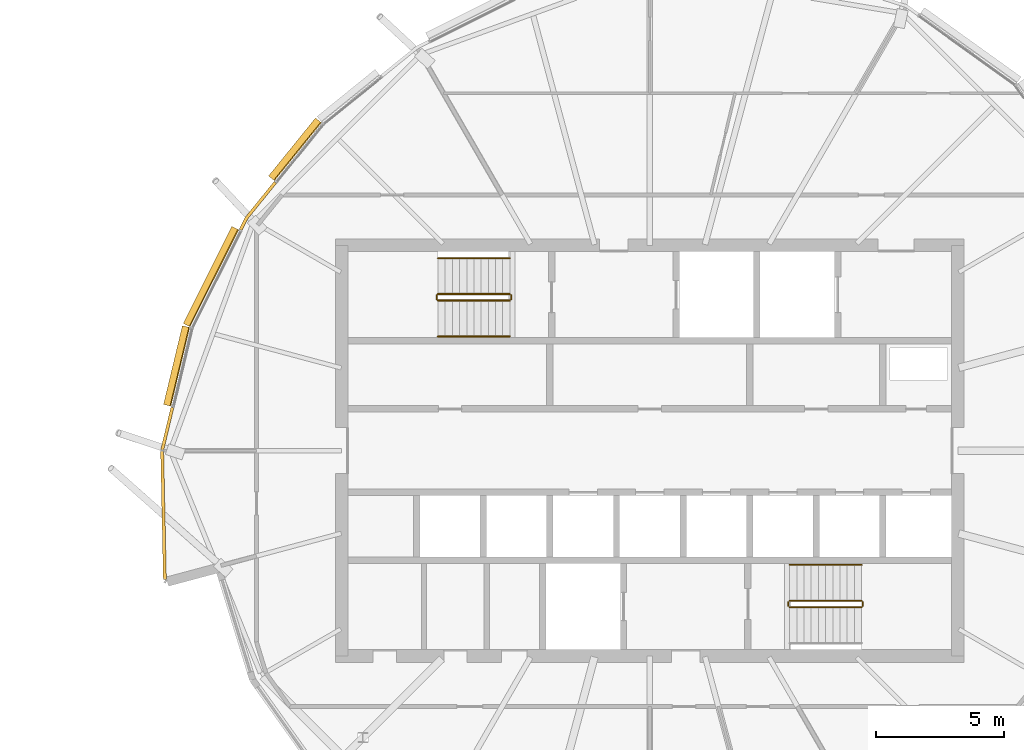
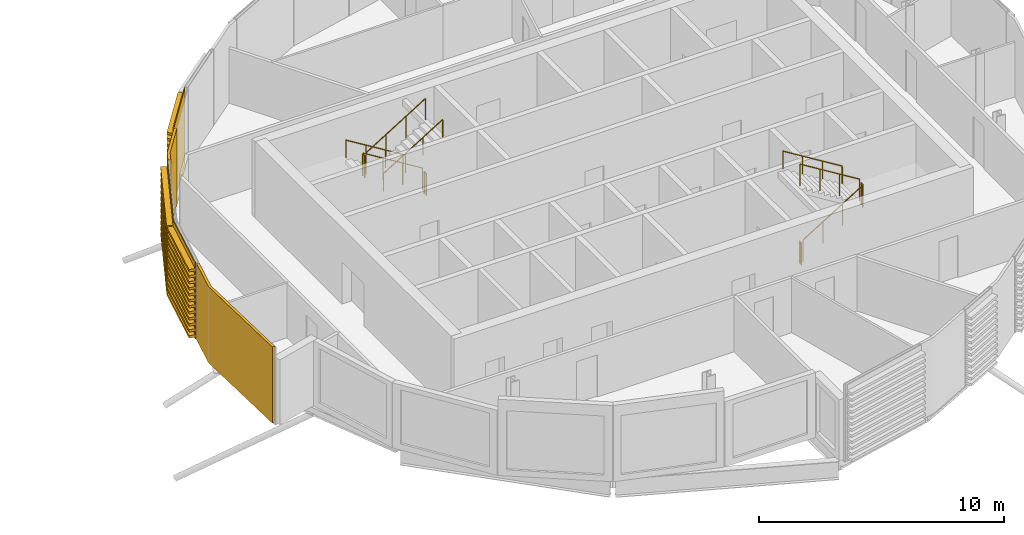
# One storey, part 35 of 36: 11 railings, 5 coverings.
"""IFC4 building model written with IfcOpenShell, lengths in metres."""

from ifc_helpers import new_model, si_unit, direction, frame, origin, origin_2d, place, context, subcontext, project, spatial, polyline, circle, outline, extrude, material, layer, layer_set, material_profile, profile_set, type_object, element, save


model = new_model("IFC4")

# Units and contexts
model_context = context("Model", 3, precision=1e-05, world=origin(), true_north=direction((0.0, 1.0)))
body_context = subcontext(model_context, "Body", "Model", "MODEL_VIEW")
ifc_project = project(units=[si_unit("LENGTHUNIT", "METRE"), si_unit("AREAUNIT", "SQUARE_METRE"), si_unit("VOLUMEUNIT", "CUBIC_METRE"), si_unit("PLANEANGLEUNIT", "RADIAN"), si_unit("MASSUNIT", "GRAM", prefix="KILO")], contexts=[model_context])

# Site, building, storey
site_placement = place(None, origin())
site = spatial("IfcSite", under=ifc_project, at=site_placement, CompositionType="ELEMENT")
building_placement = place(site_placement, origin())
building = spatial("IfcBuilding", under=site, at=building_placement, Name="Rimbun Link Towers", CompositionType="ELEMENT")
storey_placement = place(building_placement, frame((0.0, 0.0, 248.5)))
storey = spatial("IfcBuildingStorey", under=building, at=storey_placement, Name="L61", CompositionType="ELEMENT", Elevation=248.5)

# Coverings
ifc_material_1 = material(Name="Terracotta", Category="masonry")
ifc_layer = layer(ifc_material_1, 0.1201171875)
ifc_layer_set = layer_set([ifc_layer], Name="LINK PIER terracotta cladding 120")
covering_type_1 = type_object("IfcCoveringType", Name="LINK PIER terracotta cladding 120", PredefinedType="CLADDING", material=ifc_layer_set)
covering_1_placement = place(storey_placement, origin())
element("IfcCovering", 1, at=covering_1_placement, inside=storey, type_object=covering_type_1, Name="LINK PIER cladding", PredefinedType="CLADDING", context=body_context, shape_type="SweptSolid", body=[
    extrude(outline(polyline([(15.862060546875, 8.573486328125), (16.09521484375, 9.038330078125), (17.208984375, 10.4140625), (17.11572265625, 10.489501953125), (15.993896484375, 9.103759765625), (15.754638671875, 8.62744140625), (15.862060546875, 8.573486328125)])), origin(), (0.0, 0.0, 1.0), 3.800048828125),
])
covering_2_placement = place(storey_placement, origin())
element("IfcCovering", 2, at=covering_2_placement, inside=storey, type_object=covering_type_1, Name="LINK PIER cladding", PredefinedType="CLADDING", context=body_context, shape_type="SweptSolid", body=[
    extrude(outline(polyline([(12.91650390625, -5.016357421875), (12.810791015625, 0.0), (13.2109375, 1.6728515625), (13.09423828125, 1.70068359375), (12.6904296875, 0.012939453125), (12.79638671875, -5.018798828125), (12.91650390625, -5.016357421875)])), origin(), (0.0, 0.0, 1.0), 3.800048828125),
])

# Railings
ifc_material_2 = material(Name="Stainless steel grade 316", Category="steel")
railing_type_1 = type_object("IfcRailingType", Name="Stair guard", PredefinedType="GUARDRAIL", material=ifc_material_2)
railing_1_placement = place(storey_placement, frame((26.300048828125, 6.10009765625, 0.172607421875)))
element("IfcRailing", 3, at=railing_1_placement, inside=storey, type_object=railing_type_1, Name="L61 ST3 stair guard 1", PredefinedType="GUARDRAIL", context=body_context, shape_type="SweptSolid", body=[
    extrude(circle(Radius=0.02392578125, at=origin_2d()), frame((0.0, 0.0, 1.076171875), z_axis=(-0.851089632645, 0.0, 0.525020415988), x_axis=(0.0, -1.0, 0.0)), (0.0, 0.0, 1.0), 3.2900390625),
    extrude(circle(Radius=0.02099609375, at=origin_2d()), origin(), (0.0, 0.0, 1.0), 1.052001953125),
    extrude(circle(Radius=0.02099609375, at=origin_2d()), frame((-0.933349609375, 0.0, 0.57568359375)), (0.0, 0.0, 1.0), 1.052001953125),
    extrude(circle(Radius=0.02099609375, at=origin_2d()), frame((-1.86669921875, 0.0, 1.151611328125)), (0.0, 0.0, 1.0), 1.052001953125),
    extrude(circle(Radius=0.02099609375, at=origin_2d()), frame((-2.800048828125, 0.0, 1.727294921875)), (0.0, 0.0, 1.0), 1.052001953125),
])
railing_2_placement = place(storey_placement, frame((23.449951171875, 6.050048828125, 1.89990234375)))
element("IfcRailing", 4, at=railing_2_placement, inside=storey, type_object=railing_type_1, Name="L61 ST3 stair guard 2", PredefinedType="GUARDRAIL", context=body_context, shape_type="SweptSolid", body=[
    extrude(circle(Radius=0.02392578125, at=origin_2d()), frame((0.0, 0.0, 1.076171875), z_axis=(0.0, -1.0, 0.0), x_axis=(1.0, 0.0, 0.0)), (0.0, 0.0, 1.0), 0.150146484375),
    extrude(circle(Radius=0.02099609375, at=origin_2d()), origin(), (0.0, 0.0, 1.0), 1.052001953125),
    extrude(circle(Radius=0.02099609375, at=origin_2d()), frame((0.0, -0.150146484375, 0.0)), (0.0, 0.0, 1.0), 1.052001953125),
])
railing_3_placement = place(storey_placement, frame((23.5, 5.85009765625, 2.07275390625)))
element("IfcRailing", 5, at=railing_3_placement, inside=storey, type_object=railing_type_1, Name="L61 ST3 stair guard 3", PredefinedType="GUARDRAIL", context=body_context, shape_type="SweptSolid", body=[
    extrude(circle(Radius=0.02392578125, at=origin_2d()), frame((0.0, 0.0, 1.076171875), z_axis=(0.851089632645, 0.0, 0.525020415988), x_axis=(0.0, 1.0, 0.0)), (0.0, 0.0, 1.0), 3.2900390625),
    extrude(circle(Radius=0.02099609375, at=origin_2d()), origin(), (0.0, 0.0, 1.0), 1.052001953125),
    extrude(circle(Radius=0.02099609375, at=origin_2d()), frame((0.933349609375, 0.0, 0.57568359375)), (0.0, 0.0, 1.0), 1.052001953125),
    extrude(circle(Radius=0.02099609375, at=origin_2d()), frame((1.86669921875, 0.0, 1.151611328125)), (0.0, 0.0, 1.0), 1.052001953125),
    extrude(circle(Radius=0.02099609375, at=origin_2d()), frame((2.800048828125, 0.0, 1.727294921875)), (0.0, 0.0, 1.0), 1.052001953125),
])
railing_4_placement = place(storey_placement, frame((26.35009765625, 6.050048828125, 0.0)))
element("IfcRailing", 6, at=railing_4_placement, inside=storey, type_object=railing_type_1, Name="L61 ST3 stair guard 4", PredefinedType="GUARDRAIL", context=body_context, shape_type="SweptSolid", body=[
    extrude(circle(Radius=0.02392578125, at=origin_2d()), frame((0.0, 0.0, 1.076171875), z_axis=(0.0, -1.0, 0.0), x_axis=(1.0, 0.0, 0.0)), (0.0, 0.0, 1.0), 0.150146484375),
    extrude(circle(Radius=0.02099609375, at=origin_2d()), origin(), (0.0, 0.0, 1.0), 1.052001953125),
    extrude(circle(Radius=0.02099609375, at=origin_2d()), frame((0.0, -0.150146484375, 0.0)), (0.0, 0.0, 1.0), 1.052001953125),
])
railing_5_placement = place(storey_placement, frame((37.199951171875, -6.10009765625, 0.172607421875)))
element("IfcRailing", 7, at=railing_5_placement, inside=storey, type_object=railing_type_1, Name="L61 ST4 stair guard 1", PredefinedType="GUARDRAIL", context=body_context, shape_type="SweptSolid", body=[
    extrude(circle(Radius=0.02392578125, at=origin_2d()), frame((0.0, 0.0, 1.076171875), z_axis=(0.851089632645, 0.0, 0.525020415988), x_axis=(0.0, 1.0, 0.0)), (0.0, 0.0, 1.0), 3.2900390625),
    extrude(circle(Radius=0.02099609375, at=origin_2d()), origin(), (0.0, 0.0, 1.0), 1.052001953125),
    extrude(circle(Radius=0.02099609375, at=origin_2d()), frame((0.933349609375, 0.0, 0.57568359375)), (0.0, 0.0, 1.0), 1.052001953125),
    extrude(circle(Radius=0.02099609375, at=origin_2d()), frame((1.86669921875, 0.0, 1.151611328125)), (0.0, 0.0, 1.0), 1.052001953125),
    extrude(circle(Radius=0.02099609375, at=origin_2d()), frame((2.800048828125, 0.0, 1.727294921875)), (0.0, 0.0, 1.0), 1.052001953125),
])
railing_6_placement = place(storey_placement, frame((40.050048828125, -6.050048828125, 1.89990234375)))
element("IfcRailing", 8, at=railing_6_placement, inside=storey, type_object=railing_type_1, Name="L61 ST4 stair guard 2", PredefinedType="GUARDRAIL", context=body_context, shape_type="SweptSolid", body=[
    extrude(circle(Radius=0.02392578125, at=origin_2d()), frame((0.0, 0.0, 1.076171875), z_axis=(0.0, 1.0, 0.0), x_axis=(-1.0, 0.0, 0.0)), (0.0, 0.0, 1.0), 0.150146484375),
    extrude(circle(Radius=0.02099609375, at=origin_2d()), origin(), (0.0, 0.0, 1.0), 1.052001953125),
    extrude(circle(Radius=0.02099609375, at=origin_2d()), frame((0.0, 0.150146484375, 0.0)), (0.0, 0.0, 1.0), 1.052001953125),
])
railing_7_placement = place(storey_placement, frame((40.0, -5.85009765625, 2.07275390625)))
element("IfcRailing", 9, at=railing_7_placement, inside=storey, type_object=railing_type_1, Name="L61 ST4 stair guard 3", PredefinedType="GUARDRAIL", context=body_context, shape_type="SweptSolid", body=[
    extrude(circle(Radius=0.02392578125, at=origin_2d()), frame((0.0, 0.0, 1.076171875), z_axis=(-0.851089632645, 0.0, 0.525020415988), x_axis=(0.0, -1.0, 0.0)), (0.0, 0.0, 1.0), 3.2900390625),
    extrude(circle(Radius=0.02099609375, at=origin_2d()), origin(), (0.0, 0.0, 1.0), 1.052001953125),
    extrude(circle(Radius=0.02099609375, at=origin_2d()), frame((-0.933349609375, 0.0, 0.57568359375)), (0.0, 0.0, 1.0), 1.052001953125),
    extrude(circle(Radius=0.02099609375, at=origin_2d()), frame((-1.86669921875, 0.0, 1.151611328125)), (0.0, 0.0, 1.0), 1.052001953125),
    extrude(circle(Radius=0.02099609375, at=origin_2d()), frame((-2.800048828125, 0.0, 1.727294921875)), (0.0, 0.0, 1.0), 1.052001953125),
])
railing_8_placement = place(storey_placement, frame((37.14990234375, -6.050048828125, 0.0)))
element("IfcRailing", 10, at=railing_8_placement, inside=storey, type_object=railing_type_1, Name="L61 ST4 stair guard 4", PredefinedType="GUARDRAIL", context=body_context, shape_type="SweptSolid", body=[
    extrude(circle(Radius=0.02392578125, at=origin_2d()), frame((0.0, 0.0, 1.076171875), z_axis=(0.0, 1.0, 0.0), x_axis=(-1.0, 0.0, 0.0)), (0.0, 0.0, 1.0), 0.150146484375),
    extrude(circle(Radius=0.02099609375, at=origin_2d()), origin(), (0.0, 0.0, 1.0), 1.052001953125),
    extrude(circle(Radius=0.02099609375, at=origin_2d()), frame((0.0, 0.150146484375, 0.0)), (0.0, 0.0, 1.0), 1.052001953125),
])
ifc_material_3 = material(Name="Stainless steel grade 316", Category="steel")
railing_type_2 = type_object("IfcRailingType", Name="Stair handrail", PredefinedType="HANDRAIL", material=ifc_material_3)
railing_9_placement = place(storey_placement, frame((26.300048828125, 7.5, 0.172607421875)))
element("IfcRailing", 11, at=railing_9_placement, inside=storey, type_object=railing_type_2, Name="L61 ST3 stair handrail 1", PredefinedType="HANDRAIL", context=body_context, shape_type="SweptSolid", body=[
    extrude(circle(Radius=0.02392578125, at=origin_2d()), frame((0.0, 0.0, 0.8759765625), z_axis=(-0.851089632645, 0.0, 0.525020415988), x_axis=(0.0, -1.0, 0.0)), (0.0, 0.0, 1.0), 3.2900390625),
    extrude(circle(Radius=0.02099609375, at=origin_2d()), origin(), (0.0, 0.0, 1.0), 0.851806640625),
    extrude(circle(Radius=0.02099609375, at=origin_2d()), frame((-0.933349609375, 0.0, 0.57568359375)), (0.0, 0.0, 1.0), 0.851806640625),
    extrude(circle(Radius=0.02099609375, at=origin_2d()), frame((-1.86669921875, 0.0, 1.151611328125)), (0.0, 0.0, 1.0), 0.851806640625),
    extrude(circle(Radius=0.02099609375, at=origin_2d()), frame((-2.800048828125, 0.0, 1.727294921875)), (0.0, 0.0, 1.0), 0.851806640625),
])
railing_10_placement = place(storey_placement, frame((23.5, 4.449951171875, 2.07275390625)))
element("IfcRailing", 12, at=railing_10_placement, inside=storey, type_object=railing_type_2, Name="L61 ST3 stair handrail 2", PredefinedType="HANDRAIL", context=body_context, shape_type="SweptSolid", body=[
    extrude(circle(Radius=0.02392578125, at=origin_2d()), frame((0.0, 0.0, 0.8759765625), z_axis=(0.851089632645, 0.0, 0.525020415988), x_axis=(0.0, 1.0, 0.0)), (0.0, 0.0, 1.0), 3.2900390625),
    extrude(circle(Radius=0.02099609375, at=origin_2d()), origin(), (0.0, 0.0, 1.0), 0.851806640625),
    extrude(circle(Radius=0.02099609375, at=origin_2d()), frame((0.933349609375, 0.0, 0.57568359375)), (0.0, 0.0, 1.0), 0.851806640625),
    extrude(circle(Radius=0.02099609375, at=origin_2d()), frame((1.86669921875, 0.0, 1.151611328125)), (0.0, 0.0, 1.0), 0.851806640625),
    extrude(circle(Radius=0.02099609375, at=origin_2d()), frame((2.800048828125, 0.0, 1.727294921875)), (0.0, 0.0, 1.0), 0.851806640625),
])
railing_11_placement = place(storey_placement, frame((40.0, -4.449951171875, 2.07275390625)))
element("IfcRailing", 13, at=railing_11_placement, inside=storey, type_object=railing_type_2, Name="L61 ST4 stair handrail 2", PredefinedType="HANDRAIL", context=body_context, shape_type="SweptSolid", body=[
    extrude(circle(Radius=0.02392578125, at=origin_2d()), frame((0.0, 0.0, 0.8759765625), z_axis=(-0.851089632645, 0.0, 0.525020415988), x_axis=(0.0, -1.0, 0.0)), (0.0, 0.0, 1.0), 3.2900390625),
    extrude(circle(Radius=0.02099609375, at=origin_2d()), origin(), (0.0, 0.0, 1.0), 0.851806640625),
    extrude(circle(Radius=0.02099609375, at=origin_2d()), frame((-0.933349609375, 0.0, 0.57568359375)), (0.0, 0.0, 1.0), 0.851806640625),
    extrude(circle(Radius=0.02099609375, at=origin_2d()), frame((-1.86669921875, 0.0, 1.151611328125)), (0.0, 0.0, 1.0), 0.851806640625),
    extrude(circle(Radius=0.02099609375, at=origin_2d()), frame((-2.800048828125, 0.0, 1.727294921875)), (0.0, 0.0, 1.0), 0.851806640625),
])

# Coverings
ifc_material_4 = material(Name="Terracotta", Category="masonry")
ifc_material_profile = material_profile(ifc_material_4, outline(polyline([(0.123046875, 0.0), (0.1630859375, 0.0), (0.1630859375, 0.10009765625), (0.423095703125, 0.10009765625), (0.423095703125, 0.219970703125), (0.1630859375, 0.219970703125), (0.1630859375, 0.39990234375), (0.423095703125, 0.39990234375), (0.423095703125, 0.52001953125), (0.1630859375, 0.52001953125), (0.1630859375, 0.699951171875), (0.423095703125, 0.699951171875), (0.423095703125, 0.820068359375), (0.1630859375, 0.820068359375), (0.1630859375, 1.0), (0.423095703125, 1.0), (0.423095703125, 1.1201171875), (0.1630859375, 1.1201171875), (0.1630859375, 1.300048828125), (0.423095703125, 1.300048828125), (0.423095703125, 1.419921875), (0.1630859375, 1.419921875), (0.1630859375, 1.60009765625), (0.423095703125, 1.60009765625), (0.423095703125, 1.719970703125), (0.1630859375, 1.719970703125), (0.1630859375, 1.89990234375), (0.423095703125, 1.89990234375), (0.423095703125, 2.02001953125), (0.1630859375, 2.02001953125), (0.1630859375, 2.199951171875), (0.423095703125, 2.199951171875), (0.423095703125, 2.320068359375), (0.1630859375, 2.320068359375), (0.1630859375, 2.5), (0.423095703125, 2.5), (0.423095703125, 2.6201171875), (0.1630859375, 2.6201171875), (0.1630859375, 2.800048828125), (0.423095703125, 2.800048828125), (0.423095703125, 2.919921875), (0.1630859375, 2.919921875), (0.1630859375, 3.10009765625), (0.423095703125, 3.10009765625), (0.423095703125, 3.219970703125), (0.1630859375, 3.219970703125), (0.1630859375, 3.39990234375), (0.423095703125, 3.39990234375), (0.423095703125, 3.52001953125), (0.1630859375, 3.52001953125), (0.1630859375, 3.800048828125), (0.123046875, 3.800048828125), (0.123046875, 0.0)])), Name="BAGUETTE 120X300")
ifc_profile_set = profile_set([ifc_material_profile], Name="Terracotta")
covering_type_2 = type_object("IfcCoveringType", Name="TERRACOTTA BAGUETTE 120X300 H3800", PredefinedType="CLADDING", material=ifc_profile_set)
covering_3_placement = place(storey_placement, frame((17.227783203125, 10.4375, 0.0), z_axis=(0.629205483323, 0.777238997836, 0.0), x_axis=(-0.777238997836, 0.629205483323, 0.0)))
element("IfcCovering", 14, at=covering_3_placement, inside=storey, type_object=covering_type_2, Name="TERRACOTTA BAGUETTE", PredefinedType="CLADDING", context=body_context, shape_type="SweptSolid", body=[
    extrude(outline(polyline([(0.123046875, 0.0), (0.1630859375, 0.0), (0.1630859375, 0.10009765625), (0.423095703125, 0.10009765625), (0.423095703125, 0.219970703125), (0.1630859375, 0.219970703125), (0.1630859375, 0.39990234375), (0.423095703125, 0.39990234375), (0.423095703125, 0.52001953125), (0.1630859375, 0.52001953125), (0.1630859375, 0.699951171875), (0.423095703125, 0.699951171875), (0.423095703125, 0.820068359375), (0.1630859375, 0.820068359375), (0.1630859375, 1.0), (0.423095703125, 1.0), (0.423095703125, 1.1201171875), (0.1630859375, 1.1201171875), (0.1630859375, 1.300048828125), (0.423095703125, 1.300048828125), (0.423095703125, 1.419921875), (0.1630859375, 1.419921875), (0.1630859375, 1.60009765625), (0.423095703125, 1.60009765625), (0.423095703125, 1.719970703125), (0.1630859375, 1.719970703125), (0.1630859375, 1.89990234375), (0.423095703125, 1.89990234375), (0.423095703125, 2.02001953125), (0.1630859375, 2.02001953125), (0.1630859375, 2.199951171875), (0.423095703125, 2.199951171875), (0.423095703125, 2.320068359375), (0.1630859375, 2.320068359375), (0.1630859375, 2.5), (0.423095703125, 2.5), (0.423095703125, 2.6201171875), (0.1630859375, 2.6201171875), (0.1630859375, 2.800048828125), (0.423095703125, 2.800048828125), (0.423095703125, 2.919921875), (0.1630859375, 2.919921875), (0.1630859375, 3.10009765625), (0.423095703125, 3.10009765625), (0.423095703125, 3.219970703125), (0.1630859375, 3.219970703125), (0.1630859375, 3.39990234375), (0.423095703125, 3.39990234375), (0.423095703125, 3.52001953125), (0.1630859375, 3.52001953125), (0.1630859375, 3.800048828125), (0.123046875, 3.800048828125), (0.123046875, 0.0)])), origin(), (0.0, 0.0, 1.0), 2.904296875),
])
covering_4_placement = place(storey_placement, frame((13.951416015625, 4.76904296875, 0.0), z_axis=(0.448737614092, 0.89366355733, 0.0), x_axis=(-0.89366355733, 0.448737614092, 0.0)))
element("IfcCovering", 15, at=covering_4_placement, inside=storey, type_object=covering_type_2, Name="TERRACOTTA BAGUETTE", PredefinedType="CLADDING", context=body_context, shape_type="SweptSolid", body=[
    extrude(outline(polyline([(0.123046875, 0.0), (0.1630859375, 0.0), (0.1630859375, 0.10009765625), (0.423095703125, 0.10009765625), (0.423095703125, 0.219970703125), (0.1630859375, 0.219970703125), (0.1630859375, 0.39990234375), (0.423095703125, 0.39990234375), (0.423095703125, 0.52001953125), (0.1630859375, 0.52001953125), (0.1630859375, 0.699951171875), (0.423095703125, 0.699951171875), (0.423095703125, 0.820068359375), (0.1630859375, 0.820068359375), (0.1630859375, 1.0), (0.423095703125, 1.0), (0.423095703125, 1.1201171875), (0.1630859375, 1.1201171875), (0.1630859375, 1.300048828125), (0.423095703125, 1.300048828125), (0.423095703125, 1.419921875), (0.1630859375, 1.419921875), (0.1630859375, 1.60009765625), (0.423095703125, 1.60009765625), (0.423095703125, 1.719970703125), (0.1630859375, 1.719970703125), (0.1630859375, 1.89990234375), (0.423095703125, 1.89990234375), (0.423095703125, 2.02001953125), (0.1630859375, 2.02001953125), (0.1630859375, 2.199951171875), (0.423095703125, 2.199951171875), (0.423095703125, 2.320068359375), (0.1630859375, 2.320068359375), (0.1630859375, 2.5), (0.423095703125, 2.5), (0.423095703125, 2.6201171875), (0.1630859375, 2.6201171875), (0.1630859375, 2.800048828125), (0.423095703125, 2.800048828125), (0.423095703125, 2.919921875), (0.1630859375, 2.919921875), (0.1630859375, 3.10009765625), (0.423095703125, 3.10009765625), (0.423095703125, 3.219970703125), (0.1630859375, 3.219970703125), (0.1630859375, 3.39990234375), (0.423095703125, 3.39990234375), (0.423095703125, 3.52001953125), (0.1630859375, 3.52001953125), (0.1630859375, 3.800048828125), (0.123046875, 3.800048828125), (0.123046875, 0.0)])), origin(), (0.0, 0.0, 1.0), 4.227294921875),
])
covering_5_placement = place(storey_placement, frame((13.2177734375, 1.701904296875, 0.0), z_axis=(0.232632113265, 0.972564804976, 0.0), x_axis=(-0.972564804976, 0.232632113265, 0.0)))
element("IfcCovering", 16, at=covering_5_placement, inside=storey, type_object=covering_type_2, Name="TERRACOTTA BAGUETTE", PredefinedType="CLADDING", context=body_context, shape_type="SweptSolid", body=[
    extrude(outline(polyline([(0.123046875, 0.0), (0.1630859375, 0.0), (0.1630859375, 0.10009765625), (0.423095703125, 0.10009765625), (0.423095703125, 0.219970703125), (0.1630859375, 0.219970703125), (0.1630859375, 0.39990234375), (0.423095703125, 0.39990234375), (0.423095703125, 0.52001953125), (0.1630859375, 0.52001953125), (0.1630859375, 0.699951171875), (0.423095703125, 0.699951171875), (0.423095703125, 0.820068359375), (0.1630859375, 0.820068359375), (0.1630859375, 1.0), (0.423095703125, 1.0), (0.423095703125, 1.1201171875), (0.1630859375, 1.1201171875), (0.1630859375, 1.300048828125), (0.423095703125, 1.300048828125), (0.423095703125, 1.419921875), (0.1630859375, 1.419921875), (0.1630859375, 1.60009765625), (0.423095703125, 1.60009765625), (0.423095703125, 1.719970703125), (0.1630859375, 1.719970703125), (0.1630859375, 1.89990234375), (0.423095703125, 1.89990234375), (0.423095703125, 2.02001953125), (0.1630859375, 2.02001953125), (0.1630859375, 2.199951171875), (0.423095703125, 2.199951171875), (0.423095703125, 2.320068359375), (0.1630859375, 2.320068359375), (0.1630859375, 2.5), (0.423095703125, 2.5), (0.423095703125, 2.6201171875), (0.1630859375, 2.6201171875), (0.1630859375, 2.800048828125), (0.423095703125, 2.800048828125), (0.423095703125, 2.919921875), (0.1630859375, 2.919921875), (0.1630859375, 3.10009765625), (0.423095703125, 3.10009765625), (0.423095703125, 3.219970703125), (0.1630859375, 3.219970703125), (0.1630859375, 3.39990234375), (0.423095703125, 3.39990234375), (0.423095703125, 3.52001953125), (0.1630859375, 3.52001953125), (0.1630859375, 3.800048828125), (0.123046875, 3.800048828125), (0.123046875, 0.0)])), origin(), (0.0, 0.0, 1.0), 3.153564453125),
])

save(model, "model.ifc")
